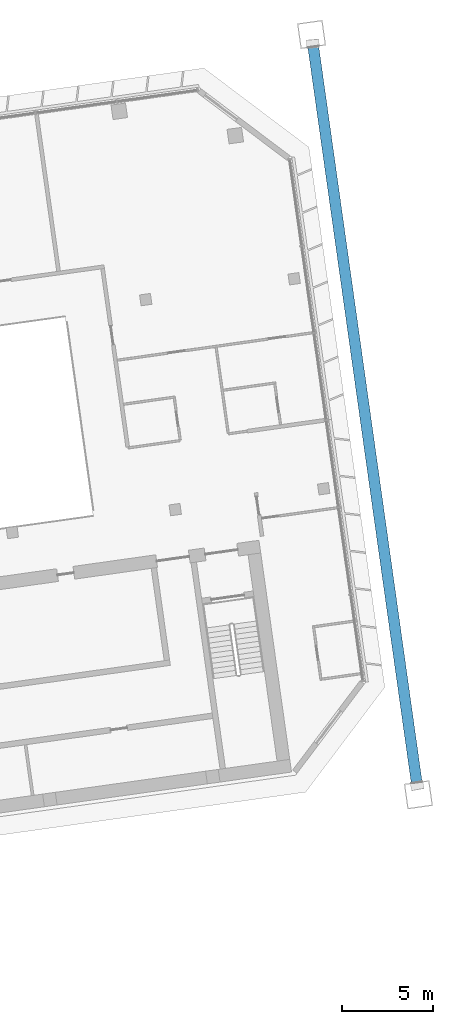
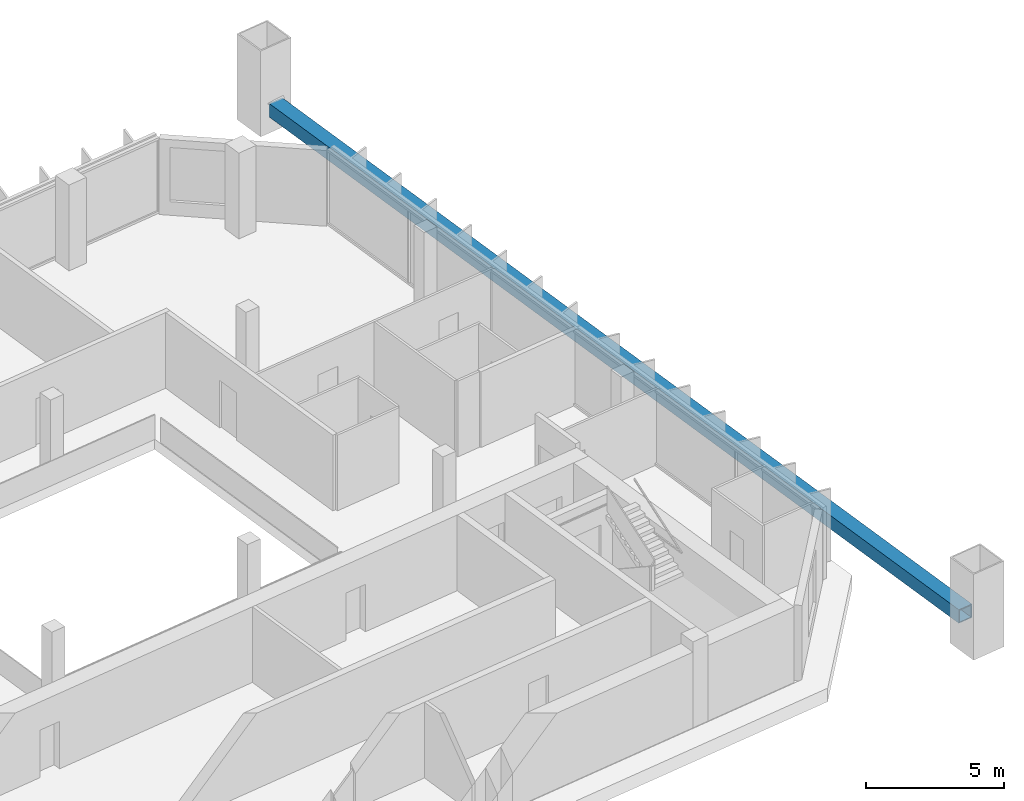
# One storey, part 12 of 31: 1 member.
"""IFC4 building model written with IfcOpenShell, lengths in metres."""

from ifc_helpers import new_model, si_unit, direction, frame, origin, origin_2d, place, context, subcontext, project, spatial, hollow_rectangle, extrude, material, material_profile, profile_set, type_object, element, save


model = new_model("IFC4")

# Units and contexts
model_context = context("Model", 3, precision=1e-05, world=origin(), true_north=direction((0.0, 1.0)))
body_context = subcontext(model_context, "Body", "Model", "MODEL_VIEW")
ifc_project = project(units=[si_unit("LENGTHUNIT", "METRE"), si_unit("AREAUNIT", "SQUARE_METRE"), si_unit("VOLUMEUNIT", "CUBIC_METRE"), si_unit("PLANEANGLEUNIT", "RADIAN"), si_unit("MASSUNIT", "GRAM", prefix="KILO")], contexts=[model_context])

# Site, building, storey
site_placement = place(None, origin())
site = spatial("IfcSite", under=ifc_project, at=site_placement, CompositionType="ELEMENT")
building_placement = place(site_placement, origin())
building = spatial("IfcBuilding", under=site, at=building_placement, Name="Mirante Cascada Hotel Towers", CompositionType="ELEMENT")
storey_placement = place(building_placement, frame((0.0, 0.0, 157.4)))
storey = spatial("IfcBuildingStorey", under=building, at=storey_placement, Name="L36", CompositionType="ELEMENT", Elevation=157.4)

# Member
ifc_material = material(Name="Steel ASTM A572 Gr 50", Category="steel")
ifc_material_profile = material_profile(ifc_material, hollow_rectangle(XDim=0.6, YDim=0.6, WallThickness=0.04, at=origin_2d()), Name="Box chord 600x600x40 ASTM A572 Gr 50")
ifc_profile_set = profile_set([ifc_material_profile], Name="Steel ASTM A572 Gr 50")
member_type = type_object("IfcMemberType", Name="Box chord 600x600x40 ASTM A572 Gr 50", PredefinedType="CHORD", material=ifc_profile_set)
member_placement = place(storey_placement, frame((97.1954, -13.076, 1.0), z_axis=(-0.1391732, 0.9902681, 0.0), x_axis=(-0.9902681, -0.1391732, 0.0)))
element("IfcMember", 1, at=member_placement, inside=storey, type_object=member_type, Name="exochord T2 L36 1", PredefinedType="CHORD", context=body_context, shape_type="SweptSolid", body=[
    extrude(hollow_rectangle(XDim=0.6, YDim=0.6, WallThickness=0.04, at=origin_2d()), origin(), (0.0, 0.0, 1.0), 40.64),
])

save(model, "model.ifc")
